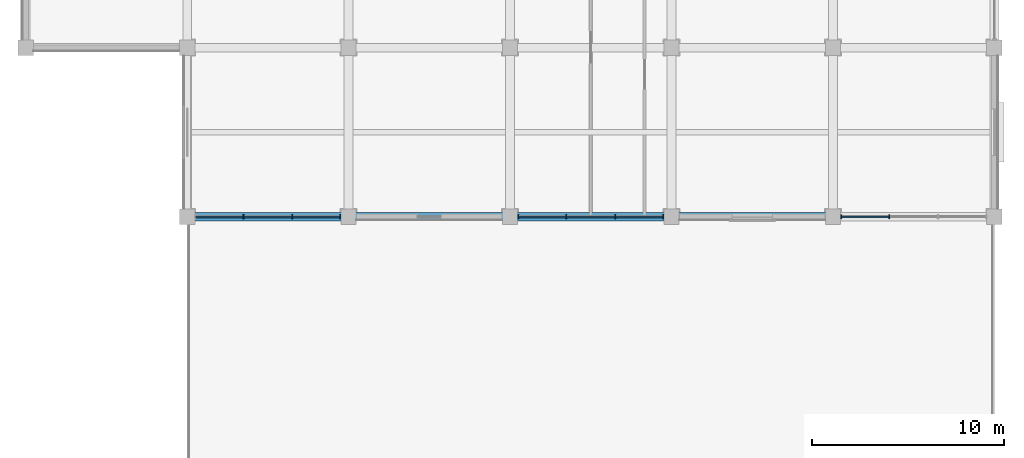
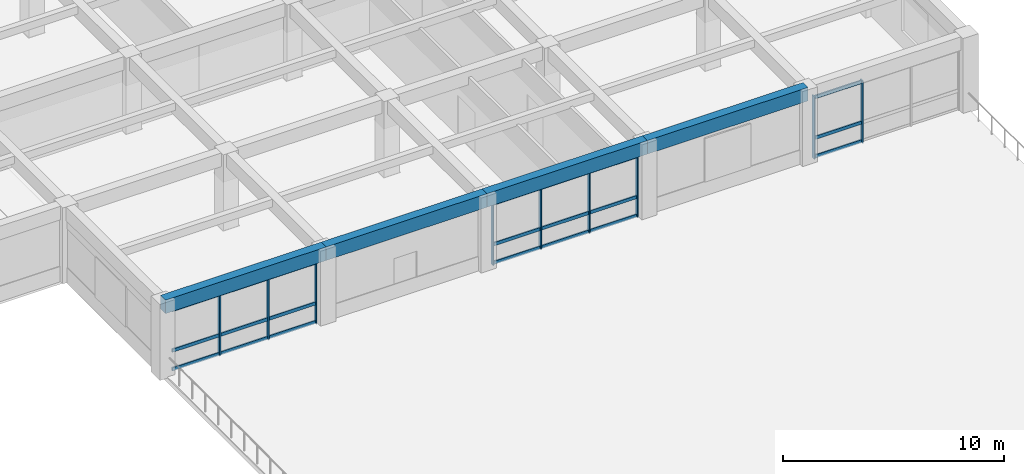
# One storey, part 23 of 57: 30 members, 4 beams, 3 elements without a shape of their own.
"""IFC4 building model written with IfcOpenShell, lengths in metres."""

from ifc_helpers import new_model, si_unit, direction, frame, origin, origin_2d, place, context, subcontext, project, spatial, rectangle, extrude, material, material_profile, profile_set, type_object, element, aggregate, save


model = new_model("IFC4")

# Units and contexts
model_context = context("Model", 3, precision=1e-05, world=origin(), true_north=direction((0.0, 1.0)))
body_context = subcontext(model_context, "Body", "Model", "MODEL_VIEW")
ifc_project = project(units=[si_unit("LENGTHUNIT", "METRE"), si_unit("AREAUNIT", "SQUARE_METRE"), si_unit("VOLUMEUNIT", "CUBIC_METRE"), si_unit("PLANEANGLEUNIT", "RADIAN"), si_unit("MASSUNIT", "GRAM", prefix="KILO")], contexts=[model_context])

# Site, building, storey
site_placement = place(None, origin())
site = spatial("IfcSite", under=ifc_project, at=site_placement, CompositionType="ELEMENT")
building_placement = place(site_placement, origin())
building = spatial("IfcBuilding", under=site, at=building_placement, Name="Kemercrest Conservatory and Botanical Centre", CompositionType="ELEMENT")
storey_placement = place(building_placement, frame((0.0, 0.0, 4.800048828125)))
storey = spatial("IfcBuildingStorey", under=building, at=storey_placement, Name="L01", CompositionType="ELEMENT", Elevation=4.800048828125)

# Curtain wall, members
ifc_material_1 = material(Name="Thermally broken aluminium and triple low-e glazing", Category="aluminium")
curtain_wall_type_1 = type_object("IfcCurtainWallType", Name="CW-19", PredefinedType="USERDEFINED", material=ifc_material_1)
curtain_wall_1_placement = place(storey_placement, origin())
curtain_wall_1 = element("IfcCurtainWall", 1, at=curtain_wall_1_placement, inside=storey, type_object=curtain_wall_type_1, Name="Unitised curtain wall CW-19 (CW:L01:V4-048)", ObjectType="UNITISED CURTAIN WALL", PredefinedType="USERDEFINED")
ifc_material_2 = material(Name="Thermally broken anodized aluminium 6063-T6", Category="aluminium")
ifc_material_profile_1 = material_profile(ifc_material_2, rectangle(XDim=0.199951171875, YDim=0.06494140625, at=origin_2d()), Name="AL MULLION 65x200")
ifc_profile_set_1 = profile_set([ifc_material_profile_1], Name="Thermally broken anodized aluminium 6063-T6")
member_type_1 = type_object("IfcMemberType", Name="CW-M200", PredefinedType="MULLION", material=ifc_profile_set_1)
member_1_placement = place(storey_placement, frame((136.931640625, 69.60009765625, 0.0), z_axis=(0.0, 0.0, 1.0), x_axis=(0.0, 1.0, 0.0)))
member_1 = element("IfcMember", 2, at=member_1_placement, type_object=member_type_1, Name="CW-19 mullion 2", PredefinedType="MULLION", context=body_context, shape_type="SweptSolid", body=[
    extrude(rectangle(XDim=0.199951171875, YDim=0.06494140625, at=origin_2d()), origin(), (0.0, 0.0, 1.0), 3.454833984375),
])
member_2_placement = place(storey_placement, frame((139.46826171875, 69.60009765625, 0.0), z_axis=(0.0, 0.0, 1.0), x_axis=(0.0, 1.0, 0.0)))
member_2 = element("IfcMember", 3, at=member_2_placement, type_object=member_type_1, Name="CW-19 mullion 3", PredefinedType="MULLION", context=body_context, shape_type="SweptSolid", body=[
    extrude(rectangle(XDim=0.199951171875, YDim=0.06494140625, at=origin_2d()), origin(), (0.0, 0.0, 1.0), 3.454833984375),
])
member_3_placement = place(storey_placement, frame((141.972412109375, 69.60009765625, 0.0), z_axis=(0.0, 0.0, 1.0), x_axis=(0.0, 1.0, 0.0)))
member_3 = element("IfcMember", 4, at=member_3_placement, type_object=member_type_1, Name="CW-19 mullion 4", PredefinedType="MULLION", context=body_context, shape_type="SweptSolid", body=[
    extrude(rectangle(XDim=0.199951171875, YDim=0.06494140625, at=origin_2d()), origin(), (0.0, 0.0, 1.0), 3.454833984375),
])

curtain_wall_type_2 = type_object("IfcCurtainWallType", Name="CW-20", PredefinedType="USERDEFINED", material=ifc_material_1)
curtain_wall_2_placement = place(storey_placement, origin())
curtain_wall_2 = element("IfcCurtainWall", 5, at=curtain_wall_2_placement, inside=storey, type_object=curtain_wall_type_2, Name="Unitised curtain wall CW-20 (CW:L01:V4-049)", ObjectType="UNITISED CURTAIN WALL", PredefinedType="USERDEFINED")
member_4_placement = place(storey_placement, frame((151.2275390625, 69.60009765625, 0.0), z_axis=(0.0, 0.0, 1.0), x_axis=(0.0, 1.0, 0.0)))
member_4 = element("IfcMember", 6, at=member_4_placement, type_object=member_type_1, Name="CW-20 mullion 1", PredefinedType="MULLION", context=body_context, shape_type="SweptSolid", body=[
    extrude(rectangle(XDim=0.199951171875, YDim=0.06494140625, at=origin_2d()), origin(), (0.0, 0.0, 1.0), 3.454833984375),
])
member_5_placement = place(storey_placement, frame((153.731689453125, 69.60009765625, 0.0), z_axis=(0.0, 0.0, 1.0), x_axis=(0.0, 1.0, 0.0)))
member_5 = element("IfcMember", 7, at=member_5_placement, type_object=member_type_1, Name="CW-20 mullion 2", PredefinedType="MULLION", context=body_context, shape_type="SweptSolid", body=[
    extrude(rectangle(XDim=0.199951171875, YDim=0.06494140625, at=origin_2d()), origin(), (0.0, 0.0, 1.0), 3.454833984375),
])
member_6_placement = place(storey_placement, frame((156.268310546875, 69.60009765625, 0.0), z_axis=(0.0, 0.0, 1.0), x_axis=(0.0, 1.0, 0.0)))
member_6 = element("IfcMember", 8, at=member_6_placement, type_object=member_type_1, Name="CW-20 mullion 3", PredefinedType="MULLION", context=body_context, shape_type="SweptSolid", body=[
    extrude(rectangle(XDim=0.199951171875, YDim=0.06494140625, at=origin_2d()), origin(), (0.0, 0.0, 1.0), 3.454833984375),
])
member_7_placement = place(storey_placement, frame((158.7724609375, 69.60009765625, 0.0), z_axis=(0.0, 0.0, 1.0), x_axis=(0.0, 1.0, 0.0)))
member_7 = element("IfcMember", 9, at=member_7_placement, type_object=member_type_1, Name="CW-20 mullion 4", PredefinedType="MULLION", context=body_context, shape_type="SweptSolid", body=[
    extrude(rectangle(XDim=0.199951171875, YDim=0.06494140625, at=origin_2d()), origin(), (0.0, 0.0, 1.0), 3.454833984375),
])

curtain_wall_type_3 = type_object("IfcCurtainWallType", Name="CW-21", PredefinedType="USERDEFINED", material=ifc_material_1)
curtain_wall_3_placement = place(storey_placement, origin())
curtain_wall_3 = element("IfcCurtainWall", 10, at=curtain_wall_3_placement, inside=storey, type_object=curtain_wall_type_3, Name="Unitised curtain wall CW-21 (CW:L01:V4-050)", ObjectType="UNITISED CURTAIN WALL", PredefinedType="USERDEFINED")
member_8_placement = place(storey_placement, frame((168.027587890625, 69.60009765625, 0.0), z_axis=(0.0, 0.0, 1.0), x_axis=(0.0, 1.0, 0.0)))
member_8 = element("IfcMember", 11, at=member_8_placement, type_object=member_type_1, Name="CW-21 mullion 1", PredefinedType="MULLION", context=body_context, shape_type="SweptSolid", body=[
    extrude(rectangle(XDim=0.199951171875, YDim=0.06494140625, at=origin_2d()), origin(), (0.0, 0.0, 1.0), 3.454833984375),
])
member_9_placement = place(storey_placement, frame((170.53173828125, 69.60009765625, 0.0), z_axis=(0.0, 0.0, 1.0), x_axis=(0.0, 1.0, 0.0)))
member_9 = element("IfcMember", 12, at=member_9_placement, type_object=member_type_1, Name="CW-21 mullion 2", PredefinedType="MULLION", context=body_context, shape_type="SweptSolid", body=[
    extrude(rectangle(XDim=0.199951171875, YDim=0.06494140625, at=origin_2d()), origin(), (0.0, 0.0, 1.0), 3.454833984375),
])

# Member
ifc_material_profile_2 = material_profile(ifc_material_2, rectangle(XDim=0.074951171875, YDim=0.179931640625, at=origin_2d()), Name="AL TRANSOM 75x180")
ifc_profile_set_2 = profile_set([ifc_material_profile_2], Name="Thermally broken anodized aluminium 6063-T6")
member_type_2 = type_object("IfcMemberType", Name="CW-T180", PredefinedType="USERDEFINED", material=ifc_profile_set_2)
member_10_placement = place(storey_placement, frame((134.4599609375, 69.60009765625, 0.08984375), z_axis=(1.0, 0.0, 0.0), x_axis=(0.0, 1.0, 0.0)))
member_10 = element("IfcMember", 13, at=member_10_placement, type_object=member_type_2, Name="CW-19 transom 1.1", ObjectType="TRANSOM", PredefinedType="USERDEFINED", context=body_context, shape_type="SweptSolid", body=[
    extrude(rectangle(XDim=0.074951171875, YDim=0.179931640625, at=origin_2d()), origin(), (0.0, 0.0, 1.0), 2.439208984375),
])

member_11_placement = place(storey_placement, frame((134.4599609375, 69.60009765625, 1.119873046875), z_axis=(1.0, 0.0, 0.0), x_axis=(0.0, 1.0, 0.0)))
member_11 = element("IfcMember", 14, at=member_11_placement, type_object=member_type_2, Name="CW-19 transom 1.2", ObjectType="TRANSOM", PredefinedType="USERDEFINED", context=body_context, shape_type="SweptSolid", body=[
    extrude(rectangle(XDim=0.074951171875, YDim=0.179931640625, at=origin_2d()), origin(), (0.0, 0.0, 1.0), 2.439208984375),
])

member_12_placement = place(storey_placement, frame((134.4599609375, 69.60009765625, 3.364990234375), z_axis=(1.0, 0.0, 0.0), x_axis=(0.0, 1.0, 0.0)))
member_12 = element("IfcMember", 15, at=member_12_placement, type_object=member_type_2, Name="CW-19 transom 1.3", ObjectType="TRANSOM", PredefinedType="USERDEFINED", context=body_context, shape_type="SweptSolid", body=[
    extrude(rectangle(XDim=0.074951171875, YDim=0.179931640625, at=origin_2d()), origin(), (0.0, 0.0, 1.0), 2.439208984375),
])

member_13_placement = place(storey_placement, frame((136.964111328125, 69.60009765625, 0.08984375), z_axis=(1.0, 0.0, 0.0), x_axis=(0.0, 1.0, 0.0)))
member_13 = element("IfcMember", 16, at=member_13_placement, type_object=member_type_2, Name="CW-19 transom 2.1", ObjectType="TRANSOM", PredefinedType="USERDEFINED", context=body_context, shape_type="SweptSolid", body=[
    extrude(rectangle(XDim=0.074951171875, YDim=0.179931640625, at=origin_2d()), origin(), (0.0, 0.0, 1.0), 2.4716796875),
])

member_14_placement = place(storey_placement, frame((136.964111328125, 69.60009765625, 1.119873046875), z_axis=(1.0, 0.0, 0.0), x_axis=(0.0, 1.0, 0.0)))
member_14 = element("IfcMember", 17, at=member_14_placement, type_object=member_type_2, Name="CW-19 transom 2.2", ObjectType="TRANSOM", PredefinedType="USERDEFINED", context=body_context, shape_type="SweptSolid", body=[
    extrude(rectangle(XDim=0.074951171875, YDim=0.179931640625, at=origin_2d()), origin(), (0.0, 0.0, 1.0), 2.4716796875),
])

member_15_placement = place(storey_placement, frame((136.964111328125, 69.60009765625, 3.364990234375), z_axis=(1.0, 0.0, 0.0), x_axis=(0.0, 1.0, 0.0)))
member_15 = element("IfcMember", 18, at=member_15_placement, type_object=member_type_2, Name="CW-19 transom 2.3", ObjectType="TRANSOM", PredefinedType="USERDEFINED", context=body_context, shape_type="SweptSolid", body=[
    extrude(rectangle(XDim=0.074951171875, YDim=0.179931640625, at=origin_2d()), origin(), (0.0, 0.0, 1.0), 2.4716796875),
])

member_16_placement = place(storey_placement, frame((139.500732421875, 69.60009765625, 0.08984375), z_axis=(1.0, 0.0, 0.0), x_axis=(0.0, 1.0, 0.0)))
member_16 = element("IfcMember", 19, at=member_16_placement, type_object=member_type_2, Name="CW-19 transom 3.1", ObjectType="TRANSOM", PredefinedType="USERDEFINED", context=body_context, shape_type="SweptSolid", body=[
    extrude(rectangle(XDim=0.074951171875, YDim=0.179931640625, at=origin_2d()), origin(), (0.0, 0.0, 1.0), 2.439208984375),
])

member_17_placement = place(storey_placement, frame((139.500732421875, 69.60009765625, 1.119873046875), z_axis=(1.0, 0.0, 0.0), x_axis=(0.0, 1.0, 0.0)))
member_17 = element("IfcMember", 20, at=member_17_placement, type_object=member_type_2, Name="CW-19 transom 3.2", ObjectType="TRANSOM", PredefinedType="USERDEFINED", context=body_context, shape_type="SweptSolid", body=[
    extrude(rectangle(XDim=0.074951171875, YDim=0.179931640625, at=origin_2d()), origin(), (0.0, 0.0, 1.0), 2.439208984375),
])

member_18_placement = place(storey_placement, frame((139.500732421875, 69.60009765625, 3.364990234375), z_axis=(1.0, 0.0, 0.0), x_axis=(0.0, 1.0, 0.0)))
member_18 = element("IfcMember", 21, at=member_18_placement, type_object=member_type_2, Name="CW-19 transom 3.3", ObjectType="TRANSOM", PredefinedType="USERDEFINED", context=body_context, shape_type="SweptSolid", body=[
    extrude(rectangle(XDim=0.074951171875, YDim=0.179931640625, at=origin_2d()), origin(), (0.0, 0.0, 1.0), 2.439208984375),
])

aggregate(curtain_wall_1, [member_1, member_2, member_3, member_10, member_11, member_12, member_13, member_14, member_15, member_16, member_17, member_18])

member_19_placement = place(storey_placement, frame((151.260009765625, 69.60009765625, 0.08984375), z_axis=(1.0, 0.0, 0.0), x_axis=(0.0, 1.0, 0.0)))
member_19 = element("IfcMember", 22, at=member_19_placement, type_object=member_type_2, Name="CW-20 transom 1.1", ObjectType="TRANSOM", PredefinedType="USERDEFINED", context=body_context, shape_type="SweptSolid", body=[
    extrude(rectangle(XDim=0.074951171875, YDim=0.179931640625, at=origin_2d()), origin(), (0.0, 0.0, 1.0), 2.439208984375),
])

member_20_placement = place(storey_placement, frame((151.260009765625, 69.60009765625, 1.119873046875), z_axis=(1.0, 0.0, 0.0), x_axis=(0.0, 1.0, 0.0)))
member_20 = element("IfcMember", 23, at=member_20_placement, type_object=member_type_2, Name="CW-20 transom 1.2", ObjectType="TRANSOM", PredefinedType="USERDEFINED", context=body_context, shape_type="SweptSolid", body=[
    extrude(rectangle(XDim=0.074951171875, YDim=0.179931640625, at=origin_2d()), origin(), (0.0, 0.0, 1.0), 2.439208984375),
])

member_21_placement = place(storey_placement, frame((151.260009765625, 69.60009765625, 3.364990234375), z_axis=(1.0, 0.0, 0.0), x_axis=(0.0, 1.0, 0.0)))
member_21 = element("IfcMember", 24, at=member_21_placement, type_object=member_type_2, Name="CW-20 transom 1.3", ObjectType="TRANSOM", PredefinedType="USERDEFINED", context=body_context, shape_type="SweptSolid", body=[
    extrude(rectangle(XDim=0.074951171875, YDim=0.179931640625, at=origin_2d()), origin(), (0.0, 0.0, 1.0), 2.439208984375),
])

member_22_placement = place(storey_placement, frame((153.76416015625, 69.60009765625, 0.08984375), z_axis=(1.0, 0.0, 0.0), x_axis=(0.0, 1.0, 0.0)))
member_22 = element("IfcMember", 25, at=member_22_placement, type_object=member_type_2, Name="CW-20 transom 2.1", ObjectType="TRANSOM", PredefinedType="USERDEFINED", context=body_context, shape_type="SweptSolid", body=[
    extrude(rectangle(XDim=0.074951171875, YDim=0.179931640625, at=origin_2d()), origin(), (0.0, 0.0, 1.0), 2.4716796875),
])

member_23_placement = place(storey_placement, frame((153.76416015625, 69.60009765625, 1.119873046875), z_axis=(1.0, 0.0, 0.0), x_axis=(0.0, 1.0, 0.0)))
member_23 = element("IfcMember", 26, at=member_23_placement, type_object=member_type_2, Name="CW-20 transom 2.2", ObjectType="TRANSOM", PredefinedType="USERDEFINED", context=body_context, shape_type="SweptSolid", body=[
    extrude(rectangle(XDim=0.074951171875, YDim=0.179931640625, at=origin_2d()), origin(), (0.0, 0.0, 1.0), 2.4716796875),
])

member_24_placement = place(storey_placement, frame((153.76416015625, 69.60009765625, 3.364990234375), z_axis=(1.0, 0.0, 0.0), x_axis=(0.0, 1.0, 0.0)))
member_24 = element("IfcMember", 27, at=member_24_placement, type_object=member_type_2, Name="CW-20 transom 2.3", ObjectType="TRANSOM", PredefinedType="USERDEFINED", context=body_context, shape_type="SweptSolid", body=[
    extrude(rectangle(XDim=0.074951171875, YDim=0.179931640625, at=origin_2d()), origin(), (0.0, 0.0, 1.0), 2.4716796875),
])

member_25_placement = place(storey_placement, frame((156.30078125, 69.60009765625, 0.08984375), z_axis=(1.0, 0.0, 0.0), x_axis=(0.0, 1.0, 0.0)))
member_25 = element("IfcMember", 28, at=member_25_placement, type_object=member_type_2, Name="CW-20 transom 3.1", ObjectType="TRANSOM", PredefinedType="USERDEFINED", context=body_context, shape_type="SweptSolid", body=[
    extrude(rectangle(XDim=0.074951171875, YDim=0.179931640625, at=origin_2d()), origin(), (0.0, 0.0, 1.0), 2.439208984375),
])

member_26_placement = place(storey_placement, frame((156.30078125, 69.60009765625, 1.119873046875), z_axis=(1.0, 0.0, 0.0), x_axis=(0.0, 1.0, 0.0)))
member_26 = element("IfcMember", 29, at=member_26_placement, type_object=member_type_2, Name="CW-20 transom 3.2", ObjectType="TRANSOM", PredefinedType="USERDEFINED", context=body_context, shape_type="SweptSolid", body=[
    extrude(rectangle(XDim=0.074951171875, YDim=0.179931640625, at=origin_2d()), origin(), (0.0, 0.0, 1.0), 2.439208984375),
])

member_27_placement = place(storey_placement, frame((156.30078125, 69.60009765625, 3.364990234375), z_axis=(1.0, 0.0, 0.0), x_axis=(0.0, 1.0, 0.0)))
member_27 = element("IfcMember", 30, at=member_27_placement, type_object=member_type_2, Name="CW-20 transom 3.3", ObjectType="TRANSOM", PredefinedType="USERDEFINED", context=body_context, shape_type="SweptSolid", body=[
    extrude(rectangle(XDim=0.074951171875, YDim=0.179931640625, at=origin_2d()), origin(), (0.0, 0.0, 1.0), 2.439208984375),
])

aggregate(curtain_wall_2, [member_4, member_5, member_6, member_7, member_19, member_20, member_21, member_22, member_23, member_24, member_25, member_26, member_27])

member_28_placement = place(storey_placement, frame((168.06005859375, 69.60009765625, 0.08984375), z_axis=(1.0, 0.0, 0.0), x_axis=(0.0, 1.0, 0.0)))
member_28 = element("IfcMember", 31, at=member_28_placement, type_object=member_type_2, Name="CW-21 transom 1.1", ObjectType="TRANSOM", PredefinedType="USERDEFINED", context=body_context, shape_type="SweptSolid", body=[
    extrude(rectangle(XDim=0.074951171875, YDim=0.179931640625, at=origin_2d()), origin(), (0.0, 0.0, 1.0), 2.439208984375),
])

member_29_placement = place(storey_placement, frame((168.06005859375, 69.60009765625, 1.119873046875), z_axis=(1.0, 0.0, 0.0), x_axis=(0.0, 1.0, 0.0)))
member_29 = element("IfcMember", 32, at=member_29_placement, type_object=member_type_2, Name="CW-21 transom 1.2", ObjectType="TRANSOM", PredefinedType="USERDEFINED", context=body_context, shape_type="SweptSolid", body=[
    extrude(rectangle(XDim=0.074951171875, YDim=0.179931640625, at=origin_2d()), origin(), (0.0, 0.0, 1.0), 2.439208984375),
])

member_30_placement = place(storey_placement, frame((168.06005859375, 69.60009765625, 3.364990234375), z_axis=(1.0, 0.0, 0.0), x_axis=(0.0, 1.0, 0.0)))
member_30 = element("IfcMember", 33, at=member_30_placement, type_object=member_type_2, Name="CW-21 transom 1.3", ObjectType="TRANSOM", PredefinedType="USERDEFINED", context=body_context, shape_type="SweptSolid", body=[
    extrude(rectangle(XDim=0.074951171875, YDim=0.179931640625, at=origin_2d()), origin(), (0.0, 0.0, 1.0), 2.439208984375),
])

aggregate(curtain_wall_3, [member_8, member_9, member_28, member_29, member_30])

# Beams
ifc_material_3 = material(Name="Concrete C40/50", Category="concrete")
ifc_material_profile_3 = material_profile(ifc_material_3, rectangle(XDim=0.449951171875, YDim=0.75, at=origin_2d()), Name="RC 450x750")
ifc_profile_set_3 = profile_set([ifc_material_profile_3], Name="Concrete C40/50")
beam_type = type_object("IfcBeamType", Name="SP-RC75", PredefinedType="SPANDREL", material=ifc_profile_set_3)
beam_1_placement = place(storey_placement, frame((134.0, 69.60009765625, 3.824951171875), z_axis=(1.0, 0.0, 0.0), x_axis=(0.0, 1.0, 0.0)))
element("IfcBeam", 34, at=beam_1_placement, inside=storey, type_object=beam_type, Name="V4-L02 beam SP-RC75 H/16-17", PredefinedType="SPANDREL", context=body_context, shape_type="SweptSolid", body=[
    extrude(rectangle(XDim=0.449951171875, YDim=0.75, at=origin_2d()), origin(), (0.0, 0.0, 1.0), 8.39990234375),
])
beam_2_placement = place(storey_placement, frame((142.39990234375, 69.60009765625, 3.824951171875), z_axis=(1.0, 0.0, 0.0), x_axis=(0.0, 1.0, 0.0)))
element("IfcBeam", 35, at=beam_2_placement, inside=storey, type_object=beam_type, Name="V4-L02 beam SP-RC75 H/17-18", PredefinedType="SPANDREL", context=body_context, shape_type="SweptSolid", body=[
    extrude(rectangle(XDim=0.449951171875, YDim=0.75, at=origin_2d()), origin(), (0.0, 0.0, 1.0), 8.400146484375),
])
beam_3_placement = place(storey_placement, frame((150.800048828125, 69.60009765625, 3.824951171875), z_axis=(1.0, 0.0, 0.0), x_axis=(0.0, 1.0, 0.0)))
element("IfcBeam", 36, at=beam_3_placement, inside=storey, type_object=beam_type, Name="V4-L02 beam SP-RC75 H/18-19", PredefinedType="SPANDREL", context=body_context, shape_type="SweptSolid", body=[
    extrude(rectangle(XDim=0.449951171875, YDim=0.75, at=origin_2d()), origin(), (0.0, 0.0, 1.0), 8.39990234375),
])
beam_4_placement = place(storey_placement, frame((159.199951171875, 69.60009765625, 3.824951171875), z_axis=(1.0, 0.0, 0.0), x_axis=(0.0, 1.0, 0.0)))
element("IfcBeam", 37, at=beam_4_placement, inside=storey, type_object=beam_type, Name="V4-L02 beam SP-RC75 H/19-20", PredefinedType="SPANDREL", context=body_context, shape_type="SweptSolid", body=[
    extrude(rectangle(XDim=0.449951171875, YDim=0.75, at=origin_2d()), origin(), (0.0, 0.0, 1.0), 8.400146484375),
])

save(model, "model.ifc")
